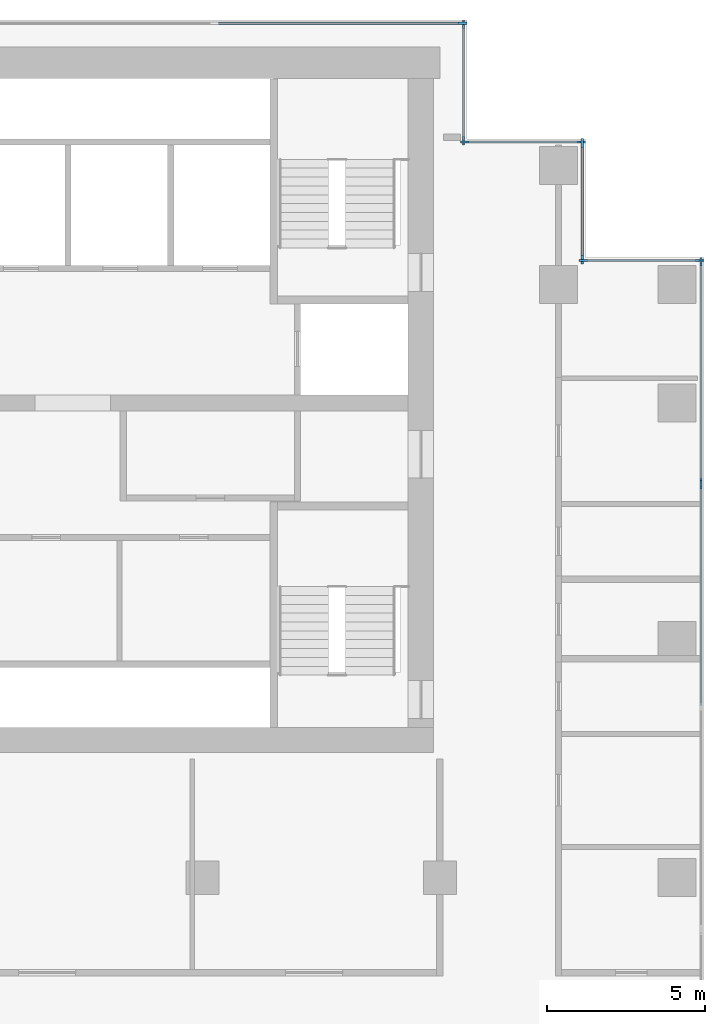
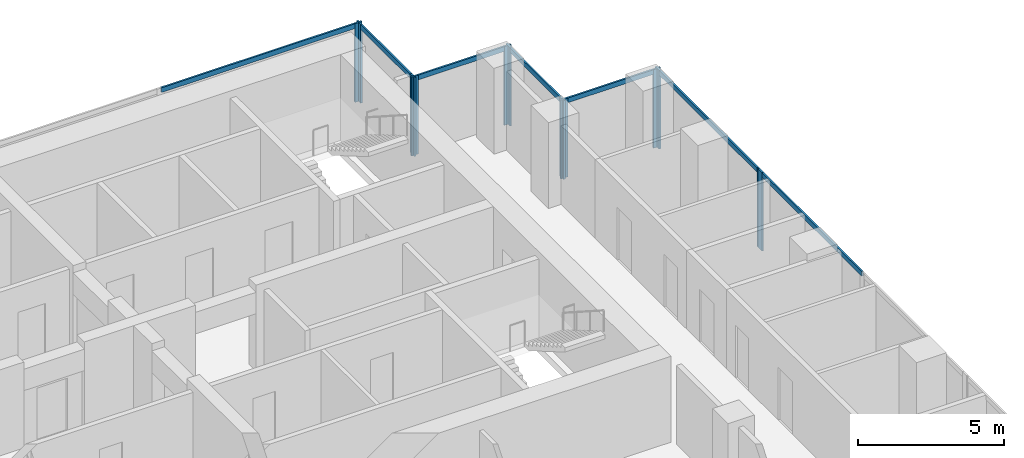
# One storey, part 5 of 10: 19 members, 7 elements without a shape of their own.
"""IFC4 building model written with IfcOpenShell, lengths in metres."""

from ifc_helpers import new_model, si_unit, direction, frame, origin, origin_2d, place, context, subcontext, project, spatial, rectangle, extrude, material, material_profile, profile_set, type_object, element, aggregate, save


model = new_model("IFC4")

# Units and contexts
model_context = context("Model", 3, precision=1e-05, world=origin(), true_north=direction((0.0, 1.0)))
body_context = subcontext(model_context, "Body", "Model", "MODEL_VIEW")
ifc_project = project(units=[si_unit("LENGTHUNIT", "METRE"), si_unit("AREAUNIT", "SQUARE_METRE"), si_unit("VOLUMEUNIT", "CUBIC_METRE"), si_unit("PLANEANGLEUNIT", "RADIAN"), si_unit("MASSUNIT", "GRAM", prefix="KILO")], contexts=[model_context])

# Site, building, storey
site_placement = place(None, origin())
site = spatial("IfcSite", under=ifc_project, at=site_placement, CompositionType="ELEMENT")
building_placement = place(site_placement, origin())
building = spatial("IfcBuilding", under=site, at=building_placement, Name="Pilkhan Gate Tower", CompositionType="ELEMENT")
storey_placement = place(building_placement, frame((0.0, 0.0, 154.89990234375)))
storey = spatial("IfcBuildingStorey", under=building, at=storey_placement, Name="L39", CompositionType="ELEMENT", Elevation=154.89990234375)

# Curtain wall, member
ifc_material_1 = material(Name="Pale anodised aluminium, clear low-iron double glazing", Category="aluminium")
curtain_wall_type = type_object("IfcCurtainWallType", Name="Office unitised curtain wall CW-O1", PredefinedType="USERDEFINED", material=ifc_material_1)
curtain_wall_1_placement = place(storey_placement, origin())
curtain_wall_1 = element("IfcCurtainWall", 1, at=curtain_wall_1_placement, inside=storey, type_object=curtain_wall_type, Name="Office unitised curtain wall CW-O1 L39 E", ObjectType="UNITISED CURTAIN WALL", PredefinedType="USERDEFINED")
ifc_material_2 = material(Name="Pale anodised aluminium", Category="aluminium")
ifc_material_profile_1 = material_profile(ifc_material_2, rectangle(XDim=0.070068359375, YDim=0.27490234375, at=origin_2d()), Name="Mullion 275x70")
ifc_profile_set_1 = profile_set([ifc_material_profile_1], Name="Pale anodised aluminium")
member_type_1 = type_object("IfcMemberType", Name="Mullion CW-O1 275x70", PredefinedType="MULLION", material=ifc_profile_set_1)
member_1_placement = place(storey_placement, frame((98.25, 79.9150390625, 0.0), z_axis=(0.0, 0.0, 1.0), x_axis=(-1.0, 0.0, 0.0)))
member_1 = element("IfcMember", 2, at=member_1_placement, type_object=member_type_1, Name="CW-O1 mullion 3", PredefinedType="MULLION", context=body_context, shape_type="SweptSolid", body=[
    extrude(rectangle(XDim=0.070068359375, YDim=0.27490234375, at=origin_2d()), origin(), (0.0, 0.0, 1.0), 3.300048828125),
])

# Curtain wall, members
curtain_wall_2_placement = place(storey_placement, origin())
curtain_wall_2 = element("IfcCurtainWall", 3, at=curtain_wall_2_placement, inside=storey, type_object=curtain_wall_type, Name="Office unitised curtain wall CW-O1 L39 E", ObjectType="UNITISED CURTAIN WALL", PredefinedType="USERDEFINED")
member_2_placement = place(storey_placement, frame((98.25, 79.985107421875, 0.0), z_axis=(0.0, 0.0, 1.0), x_axis=(-1.0, 0.0, 0.0)))
member_2 = element("IfcMember", 4, at=member_2_placement, type_object=member_type_1, Name="CW-O1 mullion 1", PredefinedType="MULLION", context=body_context, shape_type="SweptSolid", body=[
    extrude(rectangle(XDim=0.070068359375, YDim=0.27490234375, at=origin_2d()), origin(), (0.0, 0.0, 1.0), 3.300048828125),
])
member_3_placement = place(storey_placement, frame((98.25, 86.965087890625, 0.0), z_axis=(0.0, 0.0, 1.0), x_axis=(-1.0, 0.0, 0.0)))
member_3 = element("IfcMember", 5, at=member_3_placement, type_object=member_type_1, Name="CW-O1 mullion 2", PredefinedType="MULLION", context=body_context, shape_type="SweptSolid", body=[
    extrude(rectangle(XDim=0.070068359375, YDim=0.27490234375, at=origin_2d()), origin(), (0.0, 0.0, 1.0), 3.300048828125),
])

curtain_wall_3_placement = place(storey_placement, origin())
curtain_wall_3 = element("IfcCurtainWall", 6, at=curtain_wall_3_placement, inside=storey, type_object=curtain_wall_type, Name="Office unitised curtain wall CW-O1 L39 N", ObjectType="UNITISED CURTAIN WALL", PredefinedType="USERDEFINED")
member_4_placement = place(storey_placement, frame((94.534912109375, 87.0, 0.0), z_axis=(0.0, 0.0, 1.0), x_axis=(0.0, 1.0, 0.0)))
member_4 = element("IfcMember", 7, at=member_4_placement, type_object=member_type_1, Name="CW-O1 mullion 1", PredefinedType="MULLION", context=body_context, shape_type="SweptSolid", body=[
    extrude(rectangle(XDim=0.070068359375, YDim=0.27490234375, at=origin_2d()), origin(), (0.0, 0.0, 1.0), 3.300048828125),
])
member_5_placement = place(storey_placement, frame((98.215087890625, 87.0, 0.0), z_axis=(0.0, 0.0, 1.0), x_axis=(0.0, 1.0, 0.0)))
member_5 = element("IfcMember", 8, at=member_5_placement, type_object=member_type_1, Name="CW-O1 mullion 2", PredefinedType="MULLION", context=body_context, shape_type="SweptSolid", body=[
    extrude(rectangle(XDim=0.070068359375, YDim=0.27490234375, at=origin_2d()), origin(), (0.0, 0.0, 1.0), 3.300048828125),
])

curtain_wall_4_placement = place(storey_placement, origin())
curtain_wall_4 = element("IfcCurtainWall", 9, at=curtain_wall_4_placement, inside=storey, type_object=curtain_wall_type, Name="Office unitised curtain wall CW-O1 L39 E", ObjectType="UNITISED CURTAIN WALL", PredefinedType="USERDEFINED")
member_6_placement = place(storey_placement, frame((94.5, 87.034912109375, 0.0), z_axis=(0.0, 0.0, 1.0), x_axis=(-1.0, 0.0, 0.0)))
member_6 = element("IfcMember", 10, at=member_6_placement, type_object=member_type_1, Name="CW-O1 mullion 1", PredefinedType="MULLION", context=body_context, shape_type="SweptSolid", body=[
    extrude(rectangle(XDim=0.070068359375, YDim=0.27490234375, at=origin_2d()), origin(), (0.0, 0.0, 1.0), 3.300048828125),
])
member_7_placement = place(storey_placement, frame((94.5, 90.715087890625, 0.0), z_axis=(0.0, 0.0, 1.0), x_axis=(-1.0, 0.0, 0.0)))
member_7 = element("IfcMember", 11, at=member_7_placement, type_object=member_type_1, Name="CW-O1 mullion 2", PredefinedType="MULLION", context=body_context, shape_type="SweptSolid", body=[
    extrude(rectangle(XDim=0.070068359375, YDim=0.27490234375, at=origin_2d()), origin(), (0.0, 0.0, 1.0), 3.300048828125),
])

curtain_wall_5_placement = place(storey_placement, origin())
curtain_wall_5 = element("IfcCurtainWall", 12, at=curtain_wall_5_placement, inside=storey, type_object=curtain_wall_type, Name="Office unitised curtain wall CW-O1 L39 N", ObjectType="UNITISED CURTAIN WALL", PredefinedType="USERDEFINED")
member_8_placement = place(storey_placement, frame((90.784912109375, 90.75, 0.0), z_axis=(0.0, 0.0, 1.0), x_axis=(0.0, 1.0, 0.0)))
member_8 = element("IfcMember", 13, at=member_8_placement, type_object=member_type_1, Name="CW-O1 mullion 1", PredefinedType="MULLION", context=body_context, shape_type="SweptSolid", body=[
    extrude(rectangle(XDim=0.070068359375, YDim=0.27490234375, at=origin_2d()), origin(), (0.0, 0.0, 1.0), 3.300048828125),
])
member_9_placement = place(storey_placement, frame((94.465087890625, 90.75, 0.0), z_axis=(0.0, 0.0, 1.0), x_axis=(0.0, 1.0, 0.0)))
member_9 = element("IfcMember", 14, at=member_9_placement, type_object=member_type_1, Name="CW-O1 mullion 2", PredefinedType="MULLION", context=body_context, shape_type="SweptSolid", body=[
    extrude(rectangle(XDim=0.070068359375, YDim=0.27490234375, at=origin_2d()), origin(), (0.0, 0.0, 1.0), 3.300048828125),
])

curtain_wall_6_placement = place(storey_placement, origin())
curtain_wall_6 = element("IfcCurtainWall", 15, at=curtain_wall_6_placement, inside=storey, type_object=curtain_wall_type, Name="Office unitised curtain wall CW-O1 L39 E", ObjectType="UNITISED CURTAIN WALL", PredefinedType="USERDEFINED")
member_10_placement = place(storey_placement, frame((90.75, 90.784912109375, 0.0), z_axis=(0.0, 0.0, 1.0), x_axis=(-1.0, 0.0, 0.0)))
member_10 = element("IfcMember", 16, at=member_10_placement, type_object=member_type_1, Name="CW-O1 mullion 1", PredefinedType="MULLION", context=body_context, shape_type="SweptSolid", body=[
    extrude(rectangle(XDim=0.070068359375, YDim=0.27490234375, at=origin_2d()), origin(), (0.0, 0.0, 1.0), 3.300048828125),
])
member_11_placement = place(storey_placement, frame((90.75, 94.465087890625, 0.0), z_axis=(0.0, 0.0, 1.0), x_axis=(-1.0, 0.0, 0.0)))
member_11 = element("IfcMember", 17, at=member_11_placement, type_object=member_type_1, Name="CW-O1 mullion 2", PredefinedType="MULLION", context=body_context, shape_type="SweptSolid", body=[
    extrude(rectangle(XDim=0.070068359375, YDim=0.27490234375, at=origin_2d()), origin(), (0.0, 0.0, 1.0), 3.300048828125),
])

# Curtain wall, member
curtain_wall_7_placement = place(storey_placement, origin())
curtain_wall_7 = element("IfcCurtainWall", 18, at=curtain_wall_7_placement, inside=storey, type_object=curtain_wall_type, Name="Office unitised curtain wall CW-O1 L39 N", ObjectType="UNITISED CURTAIN WALL", PredefinedType="USERDEFINED")
member_12_placement = place(storey_placement, frame((90.715087890625, 94.5, 0.0), z_axis=(0.0, 0.0, 1.0), x_axis=(0.0, 1.0, 0.0)))
member_12 = element("IfcMember", 19, at=member_12_placement, type_object=member_type_1, Name="CW-O1 mullion 3", PredefinedType="MULLION", context=body_context, shape_type="SweptSolid", body=[
    extrude(rectangle(XDim=0.070068359375, YDim=0.27490234375, at=origin_2d()), origin(), (0.0, 0.0, 1.0), 3.300048828125),
])

# Member
ifc_material_profile_2 = material_profile(ifc_material_2, rectangle(XDim=0.070068359375, YDim=0.199951171875, at=origin_2d()), Name="Transom 200x70")
ifc_profile_set_2 = profile_set([ifc_material_profile_2], Name="Pale anodised aluminium")
member_type_2 = type_object("IfcMemberType", Name="Transom CW-O1 200x70", PredefinedType="USERDEFINED", material=ifc_profile_set_2)
member_13_placement = place(storey_placement, frame((98.25, 72.93505859375, 3.2001953125), z_axis=(0.0, 1.0, 0.0), x_axis=(-1.0, 0.0, 0.0)))
member_13 = element("IfcMember", 20, at=member_13_placement, type_object=member_type_2, Name="CW-O1 transom 2", ObjectType="TRANSOM", PredefinedType="USERDEFINED", context=body_context, shape_type="SweptSolid", body=[
    extrude(rectangle(XDim=0.070068359375, YDim=0.199951171875, at=origin_2d()), origin(), (0.0, 0.0, 1.0), 6.94482421875),
])

aggregate(curtain_wall_1, [member_1, member_13])

member_14_placement = place(storey_placement, frame((98.25, 80.02001953125, 3.2001953125), z_axis=(0.0, 1.0, 0.0), x_axis=(-1.0, 0.0, 0.0)))
member_14 = element("IfcMember", 21, at=member_14_placement, type_object=member_type_2, Name="CW-O1 transom 1", ObjectType="TRANSOM", PredefinedType="USERDEFINED", context=body_context, shape_type="SweptSolid", body=[
    extrude(rectangle(XDim=0.070068359375, YDim=0.199951171875, at=origin_2d()), origin(), (0.0, 0.0, 1.0), 6.909912109375),
])

aggregate(curtain_wall_2, [member_2, member_3, member_14])

member_15_placement = place(storey_placement, frame((94.570068359375, 87.0, 3.2001953125), z_axis=(1.0, 0.0, 0.0), x_axis=(0.0, 1.0, 0.0)))
member_15 = element("IfcMember", 22, at=member_15_placement, type_object=member_type_2, Name="CW-O1 transom 1", ObjectType="TRANSOM", PredefinedType="USERDEFINED", context=body_context, shape_type="SweptSolid", body=[
    extrude(rectangle(XDim=0.070068359375, YDim=0.199951171875, at=origin_2d()), origin(), (0.0, 0.0, 1.0), 3.60986328125),
])

aggregate(curtain_wall_3, [member_4, member_5, member_15])

member_16_placement = place(storey_placement, frame((94.5, 87.070068359375, 3.2001953125), z_axis=(0.0, 1.0, 0.0), x_axis=(-1.0, 0.0, 0.0)))
member_16 = element("IfcMember", 23, at=member_16_placement, type_object=member_type_2, Name="CW-O1 transom 1", ObjectType="TRANSOM", PredefinedType="USERDEFINED", context=body_context, shape_type="SweptSolid", body=[
    extrude(rectangle(XDim=0.070068359375, YDim=0.199951171875, at=origin_2d()), origin(), (0.0, 0.0, 1.0), 3.60986328125),
])

aggregate(curtain_wall_4, [member_6, member_7, member_16])

member_17_placement = place(storey_placement, frame((90.820068359375, 90.75, 3.2001953125), z_axis=(1.0, 0.0, 0.0), x_axis=(0.0, 1.0, 0.0)))
member_17 = element("IfcMember", 24, at=member_17_placement, type_object=member_type_2, Name="CW-O1 transom 1", ObjectType="TRANSOM", PredefinedType="USERDEFINED", context=body_context, shape_type="SweptSolid", body=[
    extrude(rectangle(XDim=0.070068359375, YDim=0.199951171875, at=origin_2d()), origin(), (0.0, 0.0, 1.0), 3.60986328125),
])

aggregate(curtain_wall_5, [member_8, member_9, member_17])

member_18_placement = place(storey_placement, frame((90.75, 90.820068359375, 3.2001953125), z_axis=(0.0, 1.0, 0.0), x_axis=(-1.0, 0.0, 0.0)))
member_18 = element("IfcMember", 25, at=member_18_placement, type_object=member_type_2, Name="CW-O1 transom 1", ObjectType="TRANSOM", PredefinedType="USERDEFINED", context=body_context, shape_type="SweptSolid", body=[
    extrude(rectangle(XDim=0.070068359375, YDim=0.199951171875, at=origin_2d()), origin(), (0.0, 0.0, 1.0), 3.60986328125),
])

aggregate(curtain_wall_6, [member_10, member_11, member_18])

member_19_placement = place(storey_placement, frame((82.909912109375, 94.5, 3.2001953125), z_axis=(1.0, 0.0, 0.0), x_axis=(0.0, 1.0, 0.0)))
member_19 = element("IfcMember", 26, at=member_19_placement, type_object=member_type_2, Name="CW-O1 transom 2", ObjectType="TRANSOM", PredefinedType="USERDEFINED", context=body_context, shape_type="SweptSolid", body=[
    extrude(rectangle(XDim=0.070068359375, YDim=0.199951171875, at=origin_2d()), origin(), (0.0, 0.0, 1.0), 7.77001953125),
])

aggregate(curtain_wall_7, [member_12, member_19])

save(model, "model.ifc")
